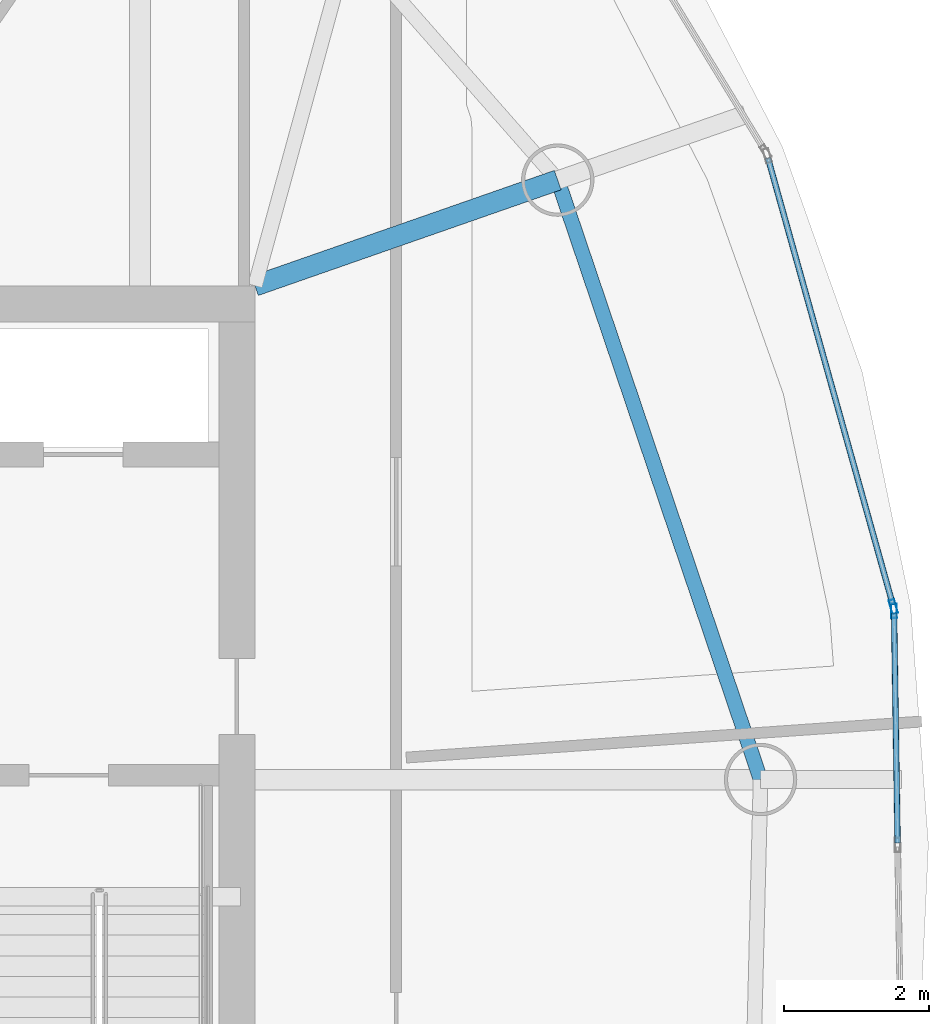
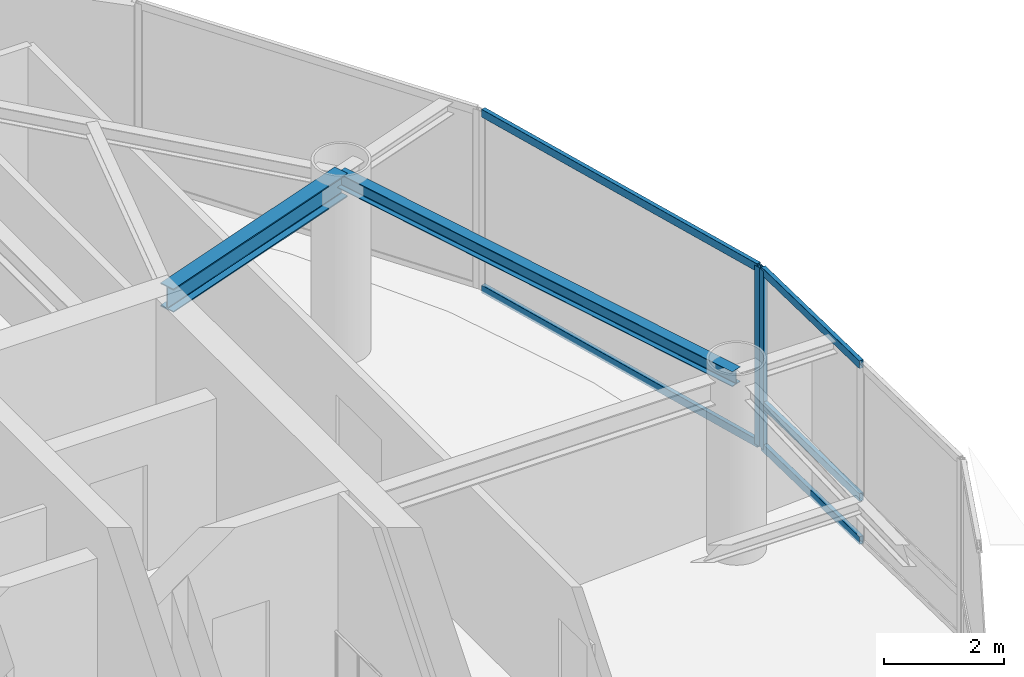
# One storey, part 9 of 19: 7 members, 2 beams, 2 elements without a shape of their own.
"""IFC4 building model written with IfcOpenShell, lengths in metres."""

from ifc_helpers import new_model, si_unit, direction, frame, origin, origin_2d, place, context, subcontext, project, spatial, hollow_rectangle, i_section, extrude, material, layer, layer_set, material_profile, profile_set, type_object, element, aggregate, save


model = new_model("IFC4")

# Units and contexts
model_context = context("Model", 3, precision=1e-05, world=origin(), true_north=direction((0.0, 1.0)))
body_context = subcontext(model_context, "Body", "Model", "MODEL_VIEW")
ifc_project = project(units=[si_unit("LENGTHUNIT", "METRE"), si_unit("AREAUNIT", "SQUARE_METRE"), si_unit("VOLUMEUNIT", "CUBIC_METRE"), si_unit("PLANEANGLEUNIT", "RADIAN"), si_unit("MASSUNIT", "GRAM", prefix="KILO")], contexts=[model_context])

# Site, building, storey
site_placement = place(None, origin())
site = spatial("IfcSite", under=ifc_project, at=site_placement, CompositionType="ELEMENT")
building_placement = place(site_placement, origin())
building = spatial("IfcBuilding", under=site, at=building_placement, Name="Bramvorn Convention Spire", CompositionType="ELEMENT")
storey_placement = place(building_placement, frame((0.0, 0.0, 299.800048828125)))
storey = spatial("IfcBuildingStorey", under=building, at=storey_placement, Name="L76", CompositionType="ELEMENT", Elevation=299.800048828125)

# Beams
ifc_material_1 = material(Name="Steel CSA G40.21 Grade 350 (350W)", Category="steel")
ifc_material_profile_1 = material_profile(ifc_material_1, i_section(OverallWidth=0.202880859375, OverallDepth=0.302978515625, WebThickness=0.007568359375, FlangeThickness=0.01318359375, FilletRadius=0.013916015625, at=origin_2d()))
ifc_profile_set_1 = profile_set([ifc_material_profile_1], Name="Steel CSA G40.21 Grade 350 (350W) - W310X60")
beam_type_1 = type_object("IfcBeamType", Name="BM-W310X60", PredefinedType="JOIST", material=ifc_profile_set_1)
beam_1_placement = place(storey_placement, frame((56.234619140625, 26.62939453125, 3.473388671875), z_axis=(-0.320531023763, 0.947238018032, 0.0), x_axis=(-0.947238018032, -0.320531023763, 0.0)))
element("IfcBeam", 1, at=beam_1_placement, inside=storey, type_object=beam_type_1, Name="L76 mega-column ring beam 04", PredefinedType="JOIST", context=body_context, shape_type="SweptSolid", body=[
    extrude(i_section(OverallWidth=0.202880859375, OverallDepth=0.302978515625, WebThickness=0.007568359375, FlangeThickness=0.01318359375, FilletRadius=0.013916015625, at=origin_2d()), origin(), (0.0, 0.0, 1.0), 8.74169921875),
])
ifc_material_profile_2 = material_profile(ifc_material_1, i_section(OverallWidth=0.283935546875, OverallDepth=0.47607421875, WebThickness=0.014892578125, FlangeThickness=0.02392578125, FilletRadius=0.01806640625, at=origin_2d()))
ifc_profile_set_2 = profile_set([ifc_material_profile_2], Name="Steel CSA G40.21 Grade 350 (350W) - W460X158")
beam_type_2 = type_object("IfcBeamType", Name="BM-W460X158", PredefinedType="SPANDREL", material=ifc_profile_set_2)
beam_2_placement = place(storey_placement, frame((49.25, 33.449951171875, 3.386962890625), z_axis=(0.944136391877, 0.329554962843, 0.0), x_axis=(-0.329554962843, 0.944136391877, 0.0)))
element("IfcBeam", 2, at=beam_2_placement, inside=storey, type_object=beam_type_2, Name="L76 radial floor girder MC05", PredefinedType="SPANDREL", context=body_context, shape_type="SweptSolid", body=[
    extrude(i_section(OverallWidth=0.283935546875, OverallDepth=0.47607421875, WebThickness=0.014892578125, FlangeThickness=0.02392578125, FilletRadius=0.01806640625, at=origin_2d()), origin(), (0.0, 0.0, 1.0), 4.43017578125),
])

# Curtain wall, member
ifc_material_2 = material(Name="Anodised Bronze Unitised Curtain Wall", Category="aluminium")
ifc_layer = layer(ifc_material_2, 0.179931640625)
ifc_layer_set = layer_set([ifc_layer], Name="Anodised Bronze Unitised Curtain Wall - CW-OFF-FRIT")
curtain_wall_type = type_object("IfcCurtainWallType", Name="CW-OFF-FRIT", PredefinedType="USERDEFINED", material=ifc_layer_set)
curtain_wall_1_placement = place(storey_placement, origin())
curtain_wall_1 = element("IfcCurtainWall", 3, at=curtain_wall_1_placement, inside=storey, type_object=curtain_wall_type, Name="L76 fritted glass curtain wall 05", ObjectType="UNITISED CURTAIN WALL", PredefinedType="USERDEFINED")
ifc_material_3 = material(Name="Anodised Bronze Aluminium 6063-T6", Category="aluminium")
ifc_material_profile_3 = material_profile(ifc_material_3, hollow_rectangle(XDim=0.080078125, YDim=0.199951171875, WallThickness=0.00390625, InnerFilletRadius=0.0009765625, OuterFilletRadius=0.00390625, at=origin_2d()))
ifc_profile_set_3 = profile_set([ifc_material_profile_3], Name="Anodised Bronze Aluminium 6063-T6 - CWM80X200")
member_type_1 = type_object("IfcMemberType", Name="CW-MUL-180", PredefinedType="MULLION", material=ifc_profile_set_3)
member_1_placement = place(storey_placement, frame((58.07763671875, 28.958251953125, 0.0), z_axis=(0.0, 0.0, 1.0), x_axis=(0.999878810724, 0.015568039844, 0.0)))
member_1 = element("IfcMember", 4, at=member_1_placement, type_object=member_type_1, Name="CW3 mullion 1", PredefinedType="MULLION", context=body_context, shape_type="SweptSolid", body=[
    extrude(hollow_rectangle(XDim=0.080078125, YDim=0.199951171875, WallThickness=0.00390625, InnerFilletRadius=0.0009765625, OuterFilletRadius=0.00390625, at=origin_2d()), origin(), (0.0, 0.0, 1.0), 3.625),
])

curtain_wall_2_placement = place(storey_placement, origin())
curtain_wall_2 = element("IfcCurtainWall", 5, at=curtain_wall_2_placement, inside=storey, type_object=curtain_wall_type, Name="L76 fritted glass curtain wall 06", ObjectType="UNITISED CURTAIN WALL", PredefinedType="USERDEFINED")
member_2_placement = place(storey_placement, frame((58.069091796875, 29.01708984375, 0.0), z_axis=(0.0, 0.0, 1.0), x_axis=(0.963073416236, 0.269238917952, 0.0)))
member_2 = element("IfcMember", 6, at=member_2_placement, type_object=member_type_1, Name="CW3 mullion 2", PredefinedType="MULLION", context=body_context, shape_type="SweptSolid", body=[
    extrude(hollow_rectangle(XDim=0.080078125, YDim=0.199951171875, WallThickness=0.00390625, InnerFilletRadius=0.0009765625, OuterFilletRadius=0.00390625, at=origin_2d()), origin(), (0.0, 0.0, 1.0), 3.625),
])

# Member
ifc_material_profile_4 = material_profile(ifc_material_3, hollow_rectangle(XDim=0.080078125, YDim=0.159912109375, WallThickness=0.00390625, InnerFilletRadius=0.0009765625, OuterFilletRadius=0.00390625, at=origin_2d()))
ifc_profile_set_4 = profile_set([ifc_material_profile_4], Name="Anodised Bronze Aluminium 6063-T6 - CWT80X160")
member_type_2 = type_object("IfcMemberType", Name="CW-TRN-150", PredefinedType="USERDEFINED", material=ifc_profile_set_4)
member_3_placement = place(storey_placement, frame((58.078125, 28.92822265625, 0.030029296875), z_axis=(0.015542562511, -0.99987920708, 0.0), x_axis=(0.99987920708, 0.015542562511, 0.0)))
member_3 = element("IfcMember", 7, at=member_3_placement, type_object=member_type_2, Name="CW3 transom 1.1", ObjectType="TRANSOM", PredefinedType="USERDEFINED", context=body_context, shape_type="SweptSolid", body=[
    extrude(hollow_rectangle(XDim=0.080078125, YDim=0.159912109375, WallThickness=0.00390625, InnerFilletRadius=0.0009765625, OuterFilletRadius=0.00390625, at=origin_2d()), origin(), (0.0, 0.0, 1.0), 3.173095703125),
])

member_4_placement = place(storey_placement, frame((58.078125, 28.92822265625, 0.89990234375), z_axis=(0.015542562511, -0.99987920708, 0.0), x_axis=(0.99987920708, 0.015542562511, 0.0)))
member_4 = element("IfcMember", 8, at=member_4_placement, type_object=member_type_2, Name="CW3 transom 1.2", ObjectType="TRANSOM", PredefinedType="USERDEFINED", context=body_context, shape_type="SweptSolid", body=[
    extrude(hollow_rectangle(XDim=0.080078125, YDim=0.159912109375, WallThickness=0.00390625, InnerFilletRadius=0.0009765625, OuterFilletRadius=0.00390625, at=origin_2d()), origin(), (0.0, 0.0, 1.0), 3.173095703125),
])

member_5_placement = place(storey_placement, frame((58.078125, 28.92822265625, 3.594970703125), z_axis=(0.015542562511, -0.99987920708, 0.0), x_axis=(0.99987920708, 0.015542562511, 0.0)))
member_5 = element("IfcMember", 9, at=member_5_placement, type_object=member_type_2, Name="CW3 transom 1.3", ObjectType="TRANSOM", PredefinedType="USERDEFINED", context=body_context, shape_type="SweptSolid", body=[
    extrude(hollow_rectangle(XDim=0.080078125, YDim=0.159912109375, WallThickness=0.00390625, InnerFilletRadius=0.0009765625, OuterFilletRadius=0.00390625, at=origin_2d()), origin(), (0.0, 0.0, 1.0), 3.173095703125),
])

aggregate(curtain_wall_1, [member_1, member_3, member_4, member_5])

member_6_placement = place(storey_placement, frame((56.3359375, 35.21630859375, 0.030029296875), z_axis=(0.269260995729, -0.963067243851, 0.0), x_axis=(0.963067243851, 0.269260995729, 0.0)))
member_6 = element("IfcMember", 10, at=member_6_placement, type_object=member_type_2, Name="CW3 transom 1.1", ObjectType="TRANSOM", PredefinedType="USERDEFINED", context=body_context, shape_type="SweptSolid", body=[
    extrude(hollow_rectangle(XDim=0.080078125, YDim=0.159912109375, WallThickness=0.00390625, InnerFilletRadius=0.0009765625, OuterFilletRadius=0.00390625, at=origin_2d()), origin(), (0.0, 0.0, 1.0), 6.40673828125),
])

member_7_placement = place(storey_placement, frame((56.3359375, 35.21630859375, 3.594970703125), z_axis=(0.269260995729, -0.963067243851, 0.0), x_axis=(0.963067243851, 0.269260995729, 0.0)))
member_7 = element("IfcMember", 11, at=member_7_placement, type_object=member_type_2, Name="CW3 transom 1.2", ObjectType="TRANSOM", PredefinedType="USERDEFINED", context=body_context, shape_type="SweptSolid", body=[
    extrude(hollow_rectangle(XDim=0.080078125, YDim=0.159912109375, WallThickness=0.00390625, InnerFilletRadius=0.0009765625, OuterFilletRadius=0.00390625, at=origin_2d()), origin(), (0.0, 0.0, 1.0), 6.40673828125),
])

aggregate(curtain_wall_2, [member_2, member_6, member_7])

save(model, "model.ifc")
